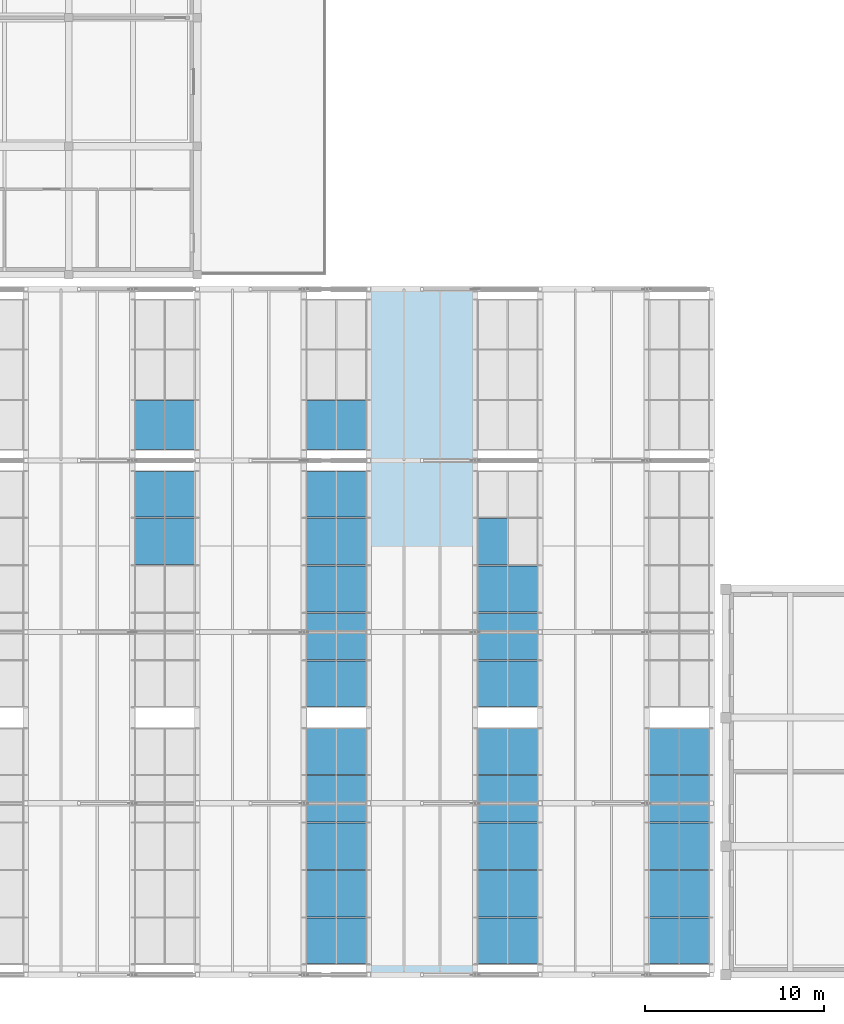
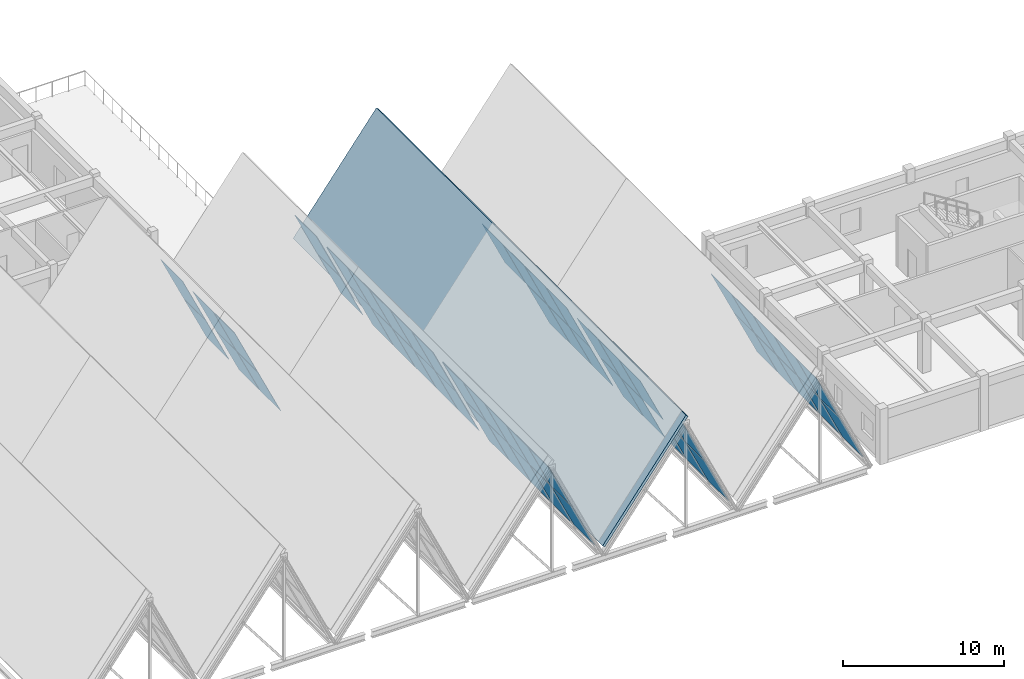
# One storey, part 65 of 99: 55 plates, 1 slab, 8 elements without a shape of their own.
"""IFC4 building model written with IfcOpenShell, lengths in metres."""

import ifcopenshell
import ifcopenshell.guid

model = None  # the IFC model being written
_history = None  # IfcOwnerHistory: only IFC2X3 demands one
_inside = {}  # id of a spatial element -> (the spatial element, [elements in it])
_under = {}  # id of a project, library or spatial element -> (it, [spatial elements below it])
_declared = {}  # id of a project -> (the project, [libraries it declares])
_typed = {}  # id of a type object -> (the type object, [elements of that type])
_made_of = {}  # id of a material, layer set ... -> (it, [elements and type objects made of it])


def new_model(schema):
    """Start an empty IFC model of exactly this schema.

    Asked for "IFC4X3", IfcOpenShell would pick the latest addendum, in which some entities
    have other attributes; the version numbers below select the first issue.
    IFC2X3 requires an IfcOwnerHistory on every rooted entity: one is made here for all.
    """
    global model, _history
    if schema == "IFC4X3":
        model = ifcopenshell.file(schema_version=(4, 3, 0, 0))
    else:
        model = ifcopenshell.file(schema=schema)
    _inside.clear()
    _under.clear()
    _declared.clear()
    _typed.clear()
    _made_of.clear()
    _history = None
    if model.schema == "IFC2X3":
        org = make("IfcOrganization", Name="unknown")
        user = make(
            "IfcPersonAndOrganization",
            ThePerson=make("IfcPerson", FamilyName="unknown"),
            TheOrganization=org,
        )
        app = make(
            "IfcApplication",
            ApplicationDeveloper=org,
            Version="unknown",
            ApplicationFullName="unknown",
            ApplicationIdentifier="unknown",
        )
        _history = make(
            "IfcOwnerHistory",
            OwningUser=user,
            OwningApplication=app,
            ChangeAction="ADDED",
            CreationDate=0,
        )
    return model


def make(cls, **values):
    """One entity of the class cls with the attributes given. An attribute that is None is left unset."""
    return model.create_entity(
        cls, **{name: value for name, value in values.items() if value is not None}
    )


def rooted(cls, **values):
    """An entity with a GlobalId (a new one), such as an element, a storey or a relation."""
    return make(cls, GlobalId=ifcopenshell.guid.new(), OwnerHistory=_history, **values)


def si_unit(unit_type, name, prefix=None):
    """IfcSIUnit, for example si_unit("LENGTHUNIT", "METRE", prefix="MILLI")."""
    return make("IfcSIUnit", UnitType=unit_type, Prefix=prefix, Name=name)


def assignment(units):
    """IfcUnitAssignment: the units of a project."""
    return None if units is None else make("IfcUnitAssignment", Units=units)


def point(xyz):
    """IfcCartesianPoint."""
    return None if xyz is None else make("IfcCartesianPoint", Coordinates=xyz)


def direction(xyz):
    """IfcDirection."""
    return None if xyz is None else make("IfcDirection", DirectionRatios=xyz)


def frame(location, z_axis=None, x_axis=None):
    """IfcAxis2Placement3D, a coordinate frame: its origin and axes. An axis left out is left unset."""
    return make(
        "IfcAxis2Placement3D",
        Location=point(location),
        Axis=direction(z_axis),
        RefDirection=direction(x_axis),
    )


def origin():
    """The frame at (0, 0, 0) with its axes left unset."""
    return frame((0.0, 0.0, 0.0))


def place(relative_to, where):
    """IfcLocalPlacement: puts the frame where relative to a parent placement (None: the world)."""
    return make(
        "IfcLocalPlacement", PlacementRelTo=relative_to, RelativePlacement=where
    )


def context(
    kind, dimensions, precision=None, world=None, true_north=None, identifier=None
):
    """IfcGeometricRepresentationContext, for example the 3D "Model" context."""
    return make(
        "IfcGeometricRepresentationContext",
        ContextIdentifier=identifier,
        ContextType=kind,
        CoordinateSpaceDimension=dimensions,
        Precision=precision,
        WorldCoordinateSystem=world,
        TrueNorth=true_north,
    )


def subcontext(parent, identifier, kind, view, scale=None):
    """IfcGeometricRepresentationSubContext, for example "Body" below "Model"."""
    return make(
        "IfcGeometricRepresentationSubContext",
        ContextIdentifier=identifier,
        ContextType=kind,
        ParentContext=parent,
        TargetScale=scale,
        TargetView=view,
    )


def project(units=None, contexts=None):
    """IfcProject with its units and contexts."""
    return rooted(
        "IfcProject",
        Name="project",
        RepresentationContexts=contexts,
        UnitsInContext=assignment(units),
    )


def spatial(cls, under=None, at=None, **own):
    """A site, building, storey or space (cls), placed at a placement, below another one or the project."""
    s = rooted(cls, ObjectPlacement=at, **own)
    if under is not None:
        _under.setdefault(under.id(), (under, []))[1].append(s)
    return s


def polyline(points):
    """IfcPolyline through the points."""
    return make("IfcPolyline", Points=[point(p) for p in points])


def outline(outer, holes=None, kind="AREA"):
    """IfcArbitraryClosedProfileDef: a profile drawn as a closed curve; with holes, ...WithVoids."""
    if holes is None:
        return make("IfcArbitraryClosedProfileDef", ProfileType=kind, OuterCurve=outer)
    return make(
        "IfcArbitraryProfileDefWithVoids",
        ProfileType=kind,
        OuterCurve=outer,
        InnerCurves=holes,
    )


def extrude(swept, where, along, depth):
    """IfcExtrudedAreaSolid: the profile swept, set in the frame where, extruded along a direction by depth."""
    return make(
        "IfcExtrudedAreaSolid",
        SweptArea=swept,
        Position=where,
        ExtrudedDirection=direction(along),
        Depth=depth,
    )


def shape(context_of_items, identifier, shape_type, items):
    """IfcShapeRepresentation: the items that make up one representation, for example the "Body"."""
    return make(
        "IfcShapeRepresentation",
        ContextOfItems=context_of_items,
        RepresentationIdentifier=identifier,
        RepresentationType=shape_type,
        Items=items,
    )


def material(Name=None, Category=None):
    """IfcMaterial."""
    return make("IfcMaterial", Name=Name, Category=Category)


def layer(
    of_material, thickness, ventilated=None, Name=None, Category=None, Priority=None
):
    """IfcMaterialLayer: one layer of a wall or slab, of a material (None: an air gap)."""
    return make(
        "IfcMaterialLayer",
        Material=of_material,
        LayerThickness=thickness,
        IsVentilated=ventilated,
        Name=Name,
        Category=Category,
        Priority=Priority,
    )


def layer_set(layers, Name=None):
    """IfcMaterialLayerSet."""
    return make("IfcMaterialLayerSet", MaterialLayers=layers, LayerSetName=Name)


def made_of(thing, what):
    """Note that an element or type object is made of a material, layer set ...; save() writes the relation."""
    if what is not None:
        _made_of.setdefault(what.id(), (what, []))[1].append(thing)
    return thing


def type_object(cls, material=None, **own):
    """A type object (cls), such as IfcWallType, which elements share."""
    return made_of(rooted(cls, **own), material)


def element(
    cls,
    number,
    at=None,
    inside=None,
    cuts=None,
    type_object=None,
    material=None,
    context=None,
    identifier="Body",
    shape_type=None,
    held_by="IfcProductDefinitionShape",
    body=None,
    shapes=None,
    **own,
):
    """One element of the class cls, such as IfcWall. Its Tag is "e" and its number.

    at: its placement. inside: the storey or other place that contains it. cuts: it is an
    opening in that element (IfcRelVoidsElement). A single representation is given by context,
    identifier, shape_type and body (its items); several are given by shapes. held_by: the class
    of the entity that holds the representations. save() writes the other relations.
    """
    e = rooted(cls, Tag="e%d" % number, ObjectPlacement=at, **own)
    if body is not None:
        shapes = [shape(context, identifier, shape_type, body)]
    if shapes is not None:
        e.Representation = make(held_by, Representations=shapes)
    if inside is not None:
        _inside.setdefault(inside.id(), (inside, []))[1].append(e)
    if cuts is not None:
        rooted(
            "IfcRelVoidsElement", RelatingBuildingElement=cuts, RelatedOpeningElement=e
        )
    if type_object is not None:
        _typed.setdefault(type_object.id(), (type_object, []))[1].append(e)
    return made_of(e, material)


def aggregate(whole, parts):
    """IfcRelAggregates: a whole, such as a stair, and the parts it consists of."""
    return rooted("IfcRelAggregates", RelatingObject=whole, RelatedObjects=parts)


def save(model, path):
    """Write the relations noted so far, then the file.

    IfcRelAggregates (storeys below a building ...), IfcRelContainedInSpatialStructure (elements
    in a storey), IfcRelDefinesByType, IfcRelAssociatesMaterial and IfcRelDeclares: one each for
    every whole, place, type object, material and project.
    """
    for whole, parts in _under.values():
        aggregate(whole, parts)
    for where, things in _inside.values():
        rooted(
            "IfcRelContainedInSpatialStructure",
            RelatedElements=things,
            RelatingStructure=where,
        )
    for kind, things in _typed.values():
        rooted("IfcRelDefinesByType", RelatedObjects=things, RelatingType=kind)
    for what, things in _made_of.values():
        rooted("IfcRelAssociatesMaterial", RelatedObjects=things, RelatingMaterial=what)
    for by, libraries in _declared.values():
        rooted("IfcRelDeclares", RelatingContext=by, RelatedDefinitions=libraries)
    model.write(path)


model = new_model("IFC4")

# Units and contexts
model_context = context("Model", 3, precision=1e-05, world=origin(), true_north=direction((0.0, 1.0)))
body_context = subcontext(model_context, "Body", "Model", "MODEL_VIEW")
ifc_project = project(units=[si_unit("LENGTHUNIT", "METRE"), si_unit("AREAUNIT", "SQUARE_METRE"), si_unit("VOLUMEUNIT", "CUBIC_METRE"), si_unit("PLANEANGLEUNIT", "RADIAN"), si_unit("MASSUNIT", "GRAM", prefix="KILO")], contexts=[model_context])

# Site, building, storey
site_placement = place(None, origin())
site = spatial("IfcSite", under=ifc_project, at=site_placement, CompositionType="ELEMENT")
building_placement = place(site_placement, origin())
building = spatial("IfcBuilding", under=site, at=building_placement, Name="Bramveld Media Centre", CompositionType="ELEMENT")
storey_placement = place(building_placement, frame((0.0, 0.0, 13.800048828125)))
storey = spatial("IfcBuildingStorey", under=building, at=storey_placement, Name="L03", CompositionType="ELEMENT", Elevation=13.800048828125)

# Curtain wall, plates
ifc_material_1 = material(Name="Thermally broken anodized bronze aluminium unitized curtain wall with solar-control triple glazing", Category="aluminium")
curtain_wall_type_1 = type_object("IfcCurtainWallType", Name="CW-SAW-13300x8606", PredefinedType="NOTDEFINED", material=ifc_material_1)
curtain_wall_1_placement = place(storey_placement, origin())
curtain_wall_1 = element("IfcCurtainWall", 1, at=curtain_wall_1_placement, inside=storey, type_object=curtain_wall_type_1, Name="V2 sawtooth north-light clerestory B3-S2", PredefinedType="NOTDEFINED")
ifc_material_2 = material(Name="Solar-control triple insulating safety glass unit", Category="glass")
ifc_layer_1 = layer(ifc_material_2, 0.028076171875)
ifc_layer_set_1 = layer_set([ifc_layer_1], Name="Solar-control triple insulating safety glass unit")
plate_type = type_object("IfcPlateType", Name="CW-PAN-SLP", PredefinedType="CURTAIN_PANEL", material=ifc_layer_set_1)
plate_1_placement = place(storey_placement, frame((28.6396484375, 22.965087890625, 0.322509765625), z_axis=(0.9056675867, 0.0, 0.423988469657), x_axis=(0.0, 1.0, 0.0)))
plate_1 = element("IfcPlate", 2, at=plate_1_placement, type_object=plate_type, Name="CW-SA-13386 glass panel 4.1", PredefinedType="CURTAIN_PANEL", context=body_context, shape_type="SweptSolid", body=[
    extrude(outline(polyline([(0.0, 0.0), (2.58984375, 0.0), (2.58984375, 3.876413641227611), (0.0, 3.876413641227611), (0.0, 0.0)])), origin(), (0.0, 0.0, -1.0), 0.028076171875),
])
plate_2_placement = place(storey_placement, frame((26.966552734375, 22.965087890625, 3.896728515625), z_axis=(0.9056675867, 0.0, 0.423988469657), x_axis=(0.0, 1.0, 0.0)))
plate_2 = element("IfcPlate", 3, at=plate_2_placement, type_object=plate_type, Name="CW-SA-13386 glass panel 4.2", PredefinedType="CURTAIN_PANEL", context=body_context, shape_type="SweptSolid", body=[
    extrude(outline(polyline([(0.0, 0.0), (2.58984375, 0.0), (2.58984375, 3.876413641227611), (0.0, 3.876413641227611), (0.0, 0.0)])), origin(), (0.0, 0.0, -1.0), 0.028076171875),
])
plate_3_placement = place(storey_placement, frame((28.6396484375, 25.625, 0.322509765625), z_axis=(0.9056675867, 0.0, 0.423988469657), x_axis=(0.0, 1.0, 0.0)))
plate_3 = element("IfcPlate", 4, at=plate_3_placement, type_object=plate_type, Name="CW-SA-13386 glass panel 5.1", PredefinedType="CURTAIN_PANEL", context=body_context, shape_type="SweptSolid", body=[
    extrude(outline(polyline([(0.0, 0.0), (2.554931640625, 0.0), (2.554931640625, 3.8764136412276113), (0.0, 3.8764136412276113), (0.0, 0.0)])), origin(), (0.0, 0.0, -1.0), 0.028076171875),
])
plate_4_placement = place(storey_placement, frame((26.966552734375, 25.625, 3.896728515625), z_axis=(0.9056675867, 0.0, 0.423988469657), x_axis=(0.0, 1.0, 0.0)))
plate_4 = element("IfcPlate", 5, at=plate_4_placement, type_object=plate_type, Name="CW-SA-13386 glass panel 5.2", PredefinedType="CURTAIN_PANEL", context=body_context, shape_type="SweptSolid", body=[
    extrude(outline(polyline([(0.0, 0.0), (2.554931640625, 0.0), (2.554931640625, 3.8764136412276113), (0.0, 3.8764136412276113), (0.0, 0.0)])), origin(), (0.0, 0.0, -1.0), 0.028076171875),
])
aggregate(curtain_wall_1, [plate_1, plate_2, plate_3, plate_4])

ifc_material_3 = material(Name="Thermally broken anodized bronze aluminium unitized curtain wall with solar-control triple glazing", Category="aluminium")
curtain_wall_type_2 = type_object("IfcCurtainWallType", Name="CW-SAW-8500x8606", PredefinedType="NOTDEFINED", material=ifc_material_3)
curtain_wall_2_placement = place(storey_placement, origin())
curtain_wall_2 = element("IfcCurtainWall", 6, at=curtain_wall_2_placement, inside=storey, type_object=curtain_wall_type_2, Name="V2 sawtooth north-light clerestory B3-S3", PredefinedType="NOTDEFINED")
plate_5_placement = place(storey_placement, frame((28.6396484375, 29.419921875, 0.322509765625), z_axis=(0.9056675867, 0.0, 0.423988469657), x_axis=(0.0, 1.0, 0.0)))
plate_5 = element("IfcPlate", 7, at=plate_5_placement, type_object=plate_type, Name="CW-SA-8586 glass panel 1.1", PredefinedType="CURTAIN_PANEL", context=body_context, shape_type="SweptSolid", body=[
    extrude(outline(polyline([(0.0, 0.0), (2.728271484375, 0.0), (2.728271484375, 3.8764136412276113), (0.0, 3.8764136412276113), (0.0, 0.0)])), origin(), (0.0, 0.0, -1.0), 0.028076171875),
])
plate_6_placement = place(storey_placement, frame((26.966552734375, 29.419921875, 3.896728515625), z_axis=(0.9056675867, 0.0, 0.423988469657), x_axis=(0.0, 1.0, 0.0)))
plate_6 = element("IfcPlate", 8, at=plate_6_placement, type_object=plate_type, Name="CW-SA-8586 glass panel 1.2", PredefinedType="CURTAIN_PANEL", context=body_context, shape_type="SweptSolid", body=[
    extrude(outline(polyline([(0.0, 0.0), (2.728271484375, 0.0), (2.728271484375, 3.8764136412276113), (0.0, 3.8764136412276113), (0.0, 0.0)])), origin(), (0.0, 0.0, -1.0), 0.028076171875),
])
aggregate(curtain_wall_2, [plate_5, plate_6])

curtain_wall_3_placement = place(storey_placement, origin())
curtain_wall_3 = element("IfcCurtainWall", 9, at=curtain_wall_3_placement, inside=storey, type_object=curtain_wall_type_1, Name="V2 sawtooth north-light clerestory B4-S1", PredefinedType="NOTDEFINED")
plate_7_placement = place(storey_placement, frame((38.23974609375, 0.6201171875, 0.322509765625), z_axis=(0.9056675867, 0.0, 0.423988469657), x_axis=(0.0, 1.0, 0.0)))
plate_7 = element("IfcPlate", 10, at=plate_7_placement, type_object=plate_type, Name="CW-SA-13386 glass panel 1.1", PredefinedType="CURTAIN_PANEL", context=body_context, shape_type="SweptSolid", body=[
    extrude(outline(polyline([(0.0, 0.0), (2.554931640625, 0.0), (2.554931640625, 3.8764136412276113), (0.0, 3.8764136412276113), (0.0, 0.0)])), origin(), (0.0, 0.0, -1.0), 0.028076171875),
])
plate_8_placement = place(storey_placement, frame((36.566650390625, 0.6201171875, 3.896728515625), z_axis=(0.9056675867, 0.0, 0.423988469657), x_axis=(0.0, 1.0, 0.0)))
plate_8 = element("IfcPlate", 11, at=plate_8_placement, type_object=plate_type, Name="CW-SA-13386 glass panel 1.2", PredefinedType="CURTAIN_PANEL", context=body_context, shape_type="SweptSolid", body=[
    extrude(outline(polyline([(0.0, 0.0), (2.554931640625, 0.0), (2.554931640625, 3.8764136412276113), (0.0, 3.8764136412276113), (0.0, 0.0)])), origin(), (0.0, 0.0, -1.0), 0.028076171875),
])
plate_9_placement = place(storey_placement, frame((38.23974609375, 3.2451171875, 0.322509765625), z_axis=(0.9056675867, 0.0, 0.423988469657), x_axis=(0.0, 1.0, 0.0)))
plate_9 = element("IfcPlate", 12, at=plate_9_placement, type_object=plate_type, Name="CW-SA-13386 glass panel 2.1", PredefinedType="CURTAIN_PANEL", context=body_context, shape_type="SweptSolid", body=[
    extrude(outline(polyline([(0.0, 0.0), (2.58984375, 0.0), (2.58984375, 3.876413641227611), (0.0, 3.876413641227611), (0.0, 0.0)])), origin(), (0.0, 0.0, -1.0), 0.028076171875),
])
plate_10_placement = place(storey_placement, frame((36.566650390625, 3.2451171875, 3.896728515625), z_axis=(0.9056675867, 0.0, 0.423988469657), x_axis=(0.0, 1.0, 0.0)))
plate_10 = element("IfcPlate", 13, at=plate_10_placement, type_object=plate_type, Name="CW-SA-13386 glass panel 2.2", PredefinedType="CURTAIN_PANEL", context=body_context, shape_type="SweptSolid", body=[
    extrude(outline(polyline([(0.0, 0.0), (2.58984375, 0.0), (2.58984375, 3.876413641227611), (0.0, 3.876413641227611), (0.0, 0.0)])), origin(), (0.0, 0.0, -1.0), 0.028076171875),
])
plate_11_placement = place(storey_placement, frame((38.23974609375, 5.905029296875, 0.322509765625), z_axis=(0.9056675867, 0.0, 0.423988469657), x_axis=(0.0, 1.0, 0.0)))
plate_11 = element("IfcPlate", 14, at=plate_11_placement, type_object=plate_type, Name="CW-SA-13386 glass panel 3.1", PredefinedType="CURTAIN_PANEL", context=body_context, shape_type="SweptSolid", body=[
    extrude(outline(polyline([(0.0, 0.0), (2.590087890625, 0.0), (2.590087890625, 3.876413641227611), (0.0, 3.876413641227611), (0.0, 0.0)])), origin(), (0.0, 0.0, -1.0), 0.028076171875),
])
plate_12_placement = place(storey_placement, frame((36.566650390625, 5.905029296875, 3.896728515625), z_axis=(0.9056675867, 0.0, 0.423988469657), x_axis=(0.0, 1.0, 0.0)))
plate_12 = element("IfcPlate", 15, at=plate_12_placement, type_object=plate_type, Name="CW-SA-13386 glass panel 3.2", PredefinedType="CURTAIN_PANEL", context=body_context, shape_type="SweptSolid", body=[
    extrude(outline(polyline([(0.0, 0.0), (2.590087890625, 0.0), (2.590087890625, 3.876413641227611), (0.0, 3.876413641227611), (0.0, 0.0)])), origin(), (0.0, 0.0, -1.0), 0.028076171875),
])
plate_13_placement = place(storey_placement, frame((38.23974609375, 8.56494140625, 0.322509765625), z_axis=(0.9056675867, 0.0, 0.423988469657), x_axis=(0.0, 1.0, 0.0)))
plate_13 = element("IfcPlate", 16, at=plate_13_placement, type_object=plate_type, Name="CW-SA-13386 glass panel 4.1", PredefinedType="CURTAIN_PANEL", context=body_context, shape_type="SweptSolid", body=[
    extrude(outline(polyline([(0.0, 0.0), (2.590087890625, 0.0), (2.590087890625, 3.876413641227611), (0.0, 3.876413641227611), (0.0, 0.0)])), origin(), (0.0, 0.0, -1.0), 0.028076171875),
])
plate_14_placement = place(storey_placement, frame((36.566650390625, 8.56494140625, 3.896728515625), z_axis=(0.9056675867, 0.0, 0.423988469657), x_axis=(0.0, 1.0, 0.0)))
plate_14 = element("IfcPlate", 17, at=plate_14_placement, type_object=plate_type, Name="CW-SA-13386 glass panel 4.2", PredefinedType="CURTAIN_PANEL", context=body_context, shape_type="SweptSolid", body=[
    extrude(outline(polyline([(0.0, 0.0), (2.590087890625, 0.0), (2.590087890625, 3.876413641227611), (0.0, 3.876413641227611), (0.0, 0.0)])), origin(), (0.0, 0.0, -1.0), 0.028076171875),
])
plate_15_placement = place(storey_placement, frame((38.23974609375, 11.22509765625, 0.322509765625), z_axis=(0.9056675867, 0.0, 0.423988469657), x_axis=(0.0, 1.0, 0.0)))
plate_15 = element("IfcPlate", 18, at=plate_15_placement, type_object=plate_type, Name="CW-SA-13386 glass panel 5.1", PredefinedType="CURTAIN_PANEL", context=body_context, shape_type="SweptSolid", body=[
    extrude(outline(polyline([(0.0, 0.0), (2.554931640625, 0.0), (2.554931640625, 3.8764136412276113), (0.0, 3.8764136412276113), (0.0, 0.0)])), origin(), (0.0, 0.0, -1.0), 0.028076171875),
])
plate_16_placement = place(storey_placement, frame((36.566650390625, 11.22509765625, 3.896728515625), z_axis=(0.9056675867, 0.0, 0.423988469657), x_axis=(0.0, 1.0, 0.0)))
plate_16 = element("IfcPlate", 19, at=plate_16_placement, type_object=plate_type, Name="CW-SA-13386 glass panel 5.2", PredefinedType="CURTAIN_PANEL", context=body_context, shape_type="SweptSolid", body=[
    extrude(outline(polyline([(0.0, 0.0), (2.554931640625, 0.0), (2.554931640625, 3.8764136412276113), (0.0, 3.8764136412276113), (0.0, 0.0)])), origin(), (0.0, 0.0, -1.0), 0.028076171875),
])
aggregate(curtain_wall_3, [plate_7, plate_8, plate_9, plate_10, plate_11, plate_12, plate_13, plate_14, plate_15, plate_16])

curtain_wall_4_placement = place(storey_placement, origin())
curtain_wall_4 = element("IfcCurtainWall", 20, at=curtain_wall_4_placement, inside=storey, type_object=curtain_wall_type_1, Name="V2 sawtooth north-light clerestory B4-S2", PredefinedType="NOTDEFINED")
plate_17_placement = place(storey_placement, frame((38.23974609375, 15.02001953125, 0.322509765625), z_axis=(0.9056675867, 0.0, 0.423988469657), x_axis=(0.0, 1.0, 0.0)))
plate_17 = element("IfcPlate", 21, at=plate_17_placement, type_object=plate_type, Name="CW-SA-13386 glass panel 1.1", PredefinedType="CURTAIN_PANEL", context=body_context, shape_type="SweptSolid", body=[
    extrude(outline(polyline([(0.0, 0.0), (2.554931640625, 0.0), (2.554931640625, 3.8764136412276113), (0.0, 3.8764136412276113), (0.0, 0.0)])), origin(), (0.0, 0.0, -1.0), 0.028076171875),
])
plate_18_placement = place(storey_placement, frame((36.566650390625, 15.02001953125, 3.896728515625), z_axis=(0.9056675867, 0.0, 0.423988469657), x_axis=(0.0, 1.0, 0.0)))
plate_18 = element("IfcPlate", 22, at=plate_18_placement, type_object=plate_type, Name="CW-SA-13386 glass panel 1.2", PredefinedType="CURTAIN_PANEL", context=body_context, shape_type="SweptSolid", body=[
    extrude(outline(polyline([(0.0, 0.0), (2.554931640625, 0.0), (2.554931640625, 3.8764136412276113), (0.0, 3.8764136412276113), (0.0, 0.0)])), origin(), (0.0, 0.0, -1.0), 0.028076171875),
])
plate_19_placement = place(storey_placement, frame((38.23974609375, 17.64501953125, 0.322509765625), z_axis=(0.9056675867, 0.0, 0.423988469657), x_axis=(0.0, 1.0, 0.0)))
plate_19 = element("IfcPlate", 23, at=plate_19_placement, type_object=plate_type, Name="CW-SA-13386 glass panel 2.1", PredefinedType="CURTAIN_PANEL", context=body_context, shape_type="SweptSolid", body=[
    extrude(outline(polyline([(0.0, 0.0), (2.590087890625, 0.0), (2.590087890625, 3.876413641227611), (0.0, 3.876413641227611), (0.0, 0.0)])), origin(), (0.0, 0.0, -1.0), 0.028076171875),
])
plate_20_placement = place(storey_placement, frame((36.566650390625, 17.64501953125, 3.896728515625), z_axis=(0.9056675867, 0.0, 0.423988469657), x_axis=(0.0, 1.0, 0.0)))
plate_20 = element("IfcPlate", 24, at=plate_20_placement, type_object=plate_type, Name="CW-SA-13386 glass panel 2.2", PredefinedType="CURTAIN_PANEL", context=body_context, shape_type="SweptSolid", body=[
    extrude(outline(polyline([(0.0, 0.0), (2.590087890625, 0.0), (2.590087890625, 3.876413641227611), (0.0, 3.876413641227611), (0.0, 0.0)])), origin(), (0.0, 0.0, -1.0), 0.028076171875),
])
plate_21_placement = place(storey_placement, frame((38.23974609375, 20.304931640625, 0.322509765625), z_axis=(0.9056675867, 0.0, 0.423988469657), x_axis=(0.0, 1.0, 0.0)))
plate_21 = element("IfcPlate", 25, at=plate_21_placement, type_object=plate_type, Name="CW-SA-13386 glass panel 3.1", PredefinedType="CURTAIN_PANEL", context=body_context, shape_type="SweptSolid", body=[
    extrude(outline(polyline([(0.0, 0.0), (2.590087890625, 0.0), (2.590087890625, 3.876413641227611), (0.0, 3.876413641227611), (0.0, 0.0)])), origin(), (0.0, 0.0, -1.0), 0.028076171875),
])
plate_22_placement = place(storey_placement, frame((36.566650390625, 20.304931640625, 3.896728515625), z_axis=(0.9056675867, 0.0, 0.423988469657), x_axis=(0.0, 1.0, 0.0)))
plate_22 = element("IfcPlate", 26, at=plate_22_placement, type_object=plate_type, Name="CW-SA-13386 glass panel 3.2", PredefinedType="CURTAIN_PANEL", context=body_context, shape_type="SweptSolid", body=[
    extrude(outline(polyline([(0.0, 0.0), (2.590087890625, 0.0), (2.590087890625, 3.876413641227611), (0.0, 3.876413641227611), (0.0, 0.0)])), origin(), (0.0, 0.0, -1.0), 0.028076171875),
])
plate_23_placement = place(storey_placement, frame((38.23974609375, 22.965087890625, 0.322509765625), z_axis=(0.9056675867, 0.0, 0.423988469657), x_axis=(0.0, 1.0, 0.0)))
plate_23 = element("IfcPlate", 27, at=plate_23_placement, type_object=plate_type, Name="CW-SA-13386 glass panel 4.1", PredefinedType="CURTAIN_PANEL", context=body_context, shape_type="SweptSolid", body=[
    extrude(outline(polyline([(0.0, 0.0), (2.58984375, 0.0), (2.58984375, 3.876413641227611), (0.0, 3.876413641227611), (0.0, 0.0)])), origin(), (0.0, 0.0, -1.0), 0.028076171875),
])
plate_24_placement = place(storey_placement, frame((36.566650390625, 22.965087890625, 3.896728515625), z_axis=(0.9056675867, 0.0, 0.423988469657), x_axis=(0.0, 1.0, 0.0)))
plate_24 = element("IfcPlate", 28, at=plate_24_placement, type_object=plate_type, Name="CW-SA-13386 glass panel 4.2", PredefinedType="CURTAIN_PANEL", context=body_context, shape_type="SweptSolid", body=[
    extrude(outline(polyline([(0.0, 0.0), (2.58984375, 0.0), (2.58984375, 3.876413641227611), (0.0, 3.876413641227611), (0.0, 0.0)])), origin(), (0.0, 0.0, -1.0), 0.028076171875),
])
plate_25_placement = place(storey_placement, frame((38.23974609375, 25.625, 0.322509765625), z_axis=(0.9056675867, 0.0, 0.423988469657), x_axis=(0.0, 1.0, 0.0)))
plate_25 = element("IfcPlate", 29, at=plate_25_placement, type_object=plate_type, Name="CW-SA-13386 glass panel 5.1", PredefinedType="CURTAIN_PANEL", context=body_context, shape_type="SweptSolid", body=[
    extrude(outline(polyline([(0.0, 0.0), (2.554931640625, 0.0), (2.554931640625, 3.8764136412276113), (0.0, 3.8764136412276113), (0.0, 0.0)])), origin(), (0.0, 0.0, -1.0), 0.028076171875),
])
plate_26_placement = place(storey_placement, frame((36.566650390625, 25.625, 3.896728515625), z_axis=(0.9056675867, 0.0, 0.423988469657), x_axis=(0.0, 1.0, 0.0)))
plate_26 = element("IfcPlate", 30, at=plate_26_placement, type_object=plate_type, Name="CW-SA-13386 glass panel 5.2", PredefinedType="CURTAIN_PANEL", context=body_context, shape_type="SweptSolid", body=[
    extrude(outline(polyline([(0.0, 0.0), (2.554931640625, 0.0), (2.554931640625, 3.8764136412276113), (0.0, 3.8764136412276113), (0.0, 0.0)])), origin(), (0.0, 0.0, -1.0), 0.028076171875),
])
aggregate(curtain_wall_4, [plate_17, plate_18, plate_19, plate_20, plate_21, plate_22, plate_23, plate_24, plate_25, plate_26])

curtain_wall_5_placement = place(storey_placement, origin())
curtain_wall_5 = element("IfcCurtainWall", 31, at=curtain_wall_5_placement, inside=storey, type_object=curtain_wall_type_2, Name="V2 sawtooth north-light clerestory B4-S3", PredefinedType="NOTDEFINED")
plate_27_placement = place(storey_placement, frame((38.23974609375, 29.419921875, 0.322509765625), z_axis=(0.9056675867, 0.0, 0.423988469657), x_axis=(0.0, 1.0, 0.0)))
plate_27 = element("IfcPlate", 32, at=plate_27_placement, type_object=plate_type, Name="CW-SA-8586 glass panel 1.1", PredefinedType="CURTAIN_PANEL", context=body_context, shape_type="SweptSolid", body=[
    extrude(outline(polyline([(0.0, 0.0), (2.728271484375, 0.0), (2.728271484375, 3.8764136412276113), (0.0, 3.8764136412276113), (0.0, 0.0)])), origin(), (0.0, 0.0, -1.0), 0.028076171875),
])
plate_28_placement = place(storey_placement, frame((36.566650390625, 29.419921875, 3.896728515625), z_axis=(0.9056675867, 0.0, 0.423988469657), x_axis=(0.0, 1.0, 0.0)))
plate_28 = element("IfcPlate", 33, at=plate_28_placement, type_object=plate_type, Name="CW-SA-8586 glass panel 1.2", PredefinedType="CURTAIN_PANEL", context=body_context, shape_type="SweptSolid", body=[
    extrude(outline(polyline([(0.0, 0.0), (2.728271484375, 0.0), (2.728271484375, 3.8764136412276113), (0.0, 3.8764136412276113), (0.0, 0.0)])), origin(), (0.0, 0.0, -1.0), 0.028076171875),
])
aggregate(curtain_wall_5, [plate_27, plate_28])

curtain_wall_6_placement = place(storey_placement, origin())
curtain_wall_6 = element("IfcCurtainWall", 34, at=curtain_wall_6_placement, inside=storey, type_object=curtain_wall_type_1, Name="V2 sawtooth north-light clerestory B5-S1", PredefinedType="NOTDEFINED")
plate_29_placement = place(storey_placement, frame((47.839599609375, 0.6201171875, 0.322509765625), z_axis=(0.905691770132, 0.0, 0.423936808398), x_axis=(0.0, 1.0, 0.0)))
plate_29 = element("IfcPlate", 35, at=plate_29_placement, type_object=plate_type, Name="CW-SA-13386 glass panel 1.1", PredefinedType="CURTAIN_PANEL", context=body_context, shape_type="SweptSolid", body=[
    extrude(outline(polyline([(0.0, 0.0), (2.554931640625, 0.0), (2.554931640625, 3.876310134723858), (0.0, 3.876310134723858), (0.0, 0.0)])), origin(), (0.0, 0.0, -1.0), 0.028076171875),
])
plate_30_placement = place(storey_placement, frame((46.16650390625, 0.6201171875, 3.896728515625), z_axis=(0.905691770132, 0.0, 0.423936808398), x_axis=(0.0, 1.0, 0.0)))
plate_30 = element("IfcPlate", 36, at=plate_30_placement, type_object=plate_type, Name="CW-SA-13386 glass panel 1.2", PredefinedType="CURTAIN_PANEL", context=body_context, shape_type="SweptSolid", body=[
    extrude(outline(polyline([(0.0, 0.0), (2.554931640625, 0.0), (2.554931640625, 3.876310134723858), (0.0, 3.876310134723858), (0.0, 0.0)])), origin(), (0.0, 0.0, -1.0), 0.028076171875),
])
plate_31_placement = place(storey_placement, frame((47.839599609375, 3.2451171875, 0.322509765625), z_axis=(0.905691770132, 0.0, 0.423936808398), x_axis=(0.0, 1.0, 0.0)))
plate_31 = element("IfcPlate", 37, at=plate_31_placement, type_object=plate_type, Name="CW-SA-13386 glass panel 2.1", PredefinedType="CURTAIN_PANEL", context=body_context, shape_type="SweptSolid", body=[
    extrude(outline(polyline([(0.0, 0.0), (2.58984375, 0.0), (2.58984375, 3.876310134723858), (0.0, 3.876310134723858), (0.0, 0.0)])), origin(), (0.0, 0.0, -1.0), 0.028076171875),
])
plate_32_placement = place(storey_placement, frame((46.16650390625, 3.2451171875, 3.896728515625), z_axis=(0.905691770132, 0.0, 0.423936808398), x_axis=(0.0, 1.0, 0.0)))
plate_32 = element("IfcPlate", 38, at=plate_32_placement, type_object=plate_type, Name="CW-SA-13386 glass panel 2.2", PredefinedType="CURTAIN_PANEL", context=body_context, shape_type="SweptSolid", body=[
    extrude(outline(polyline([(0.0, 0.0), (2.58984375, 0.0), (2.58984375, 3.876310134723858), (0.0, 3.876310134723858), (0.0, 0.0)])), origin(), (0.0, 0.0, -1.0), 0.028076171875),
])
plate_33_placement = place(storey_placement, frame((47.839599609375, 5.905029296875, 0.322509765625), z_axis=(0.905691770132, 0.0, 0.423936808398), x_axis=(0.0, 1.0, 0.0)))
plate_33 = element("IfcPlate", 39, at=plate_33_placement, type_object=plate_type, Name="CW-SA-13386 glass panel 3.1", PredefinedType="CURTAIN_PANEL", context=body_context, shape_type="SweptSolid", body=[
    extrude(outline(polyline([(0.0, 0.0), (2.590087890625, 0.0), (2.590087890625, 3.876310134723858), (0.0, 3.876310134723858), (0.0, 0.0)])), origin(), (0.0, 0.0, -1.0), 0.028076171875),
])
plate_34_placement = place(storey_placement, frame((46.16650390625, 5.905029296875, 3.896728515625), z_axis=(0.905691770132, 0.0, 0.423936808398), x_axis=(0.0, 1.0, 0.0)))
plate_34 = element("IfcPlate", 40, at=plate_34_placement, type_object=plate_type, Name="CW-SA-13386 glass panel 3.2", PredefinedType="CURTAIN_PANEL", context=body_context, shape_type="SweptSolid", body=[
    extrude(outline(polyline([(0.0, 0.0), (2.590087890625, 0.0), (2.590087890625, 3.876310134723858), (0.0, 3.876310134723858), (0.0, 0.0)])), origin(), (0.0, 0.0, -1.0), 0.028076171875),
])
plate_35_placement = place(storey_placement, frame((47.839599609375, 8.56494140625, 0.322509765625), z_axis=(0.905691770132, 0.0, 0.423936808398), x_axis=(0.0, 1.0, 0.0)))
plate_35 = element("IfcPlate", 41, at=plate_35_placement, type_object=plate_type, Name="CW-SA-13386 glass panel 4.1", PredefinedType="CURTAIN_PANEL", context=body_context, shape_type="SweptSolid", body=[
    extrude(outline(polyline([(0.0, 0.0), (2.590087890625, 0.0), (2.590087890625, 3.876310134723858), (0.0, 3.876310134723858), (0.0, 0.0)])), origin(), (0.0, 0.0, -1.0), 0.028076171875),
])
plate_36_placement = place(storey_placement, frame((46.16650390625, 8.56494140625, 3.896728515625), z_axis=(0.905691770132, 0.0, 0.423936808398), x_axis=(0.0, 1.0, 0.0)))
plate_36 = element("IfcPlate", 42, at=plate_36_placement, type_object=plate_type, Name="CW-SA-13386 glass panel 4.2", PredefinedType="CURTAIN_PANEL", context=body_context, shape_type="SweptSolid", body=[
    extrude(outline(polyline([(0.0, 0.0), (2.590087890625, 0.0), (2.590087890625, 3.876310134723858), (0.0, 3.876310134723858), (0.0, 0.0)])), origin(), (0.0, 0.0, -1.0), 0.028076171875),
])
plate_37_placement = place(storey_placement, frame((47.839599609375, 11.22509765625, 0.322509765625), z_axis=(0.905691770132, 0.0, 0.423936808398), x_axis=(0.0, 1.0, 0.0)))
plate_37 = element("IfcPlate", 43, at=plate_37_placement, type_object=plate_type, Name="CW-SA-13386 glass panel 5.1", PredefinedType="CURTAIN_PANEL", context=body_context, shape_type="SweptSolid", body=[
    extrude(outline(polyline([(0.0, 0.0), (2.554931640625, 0.0), (2.554931640625, 3.876310134723858), (0.0, 3.876310134723858), (0.0, 0.0)])), origin(), (0.0, 0.0, -1.0), 0.028076171875),
])
plate_38_placement = place(storey_placement, frame((46.16650390625, 11.22509765625, 3.896728515625), z_axis=(0.905691770132, 0.0, 0.423936808398), x_axis=(0.0, 1.0, 0.0)))
plate_38 = element("IfcPlate", 44, at=plate_38_placement, type_object=plate_type, Name="CW-SA-13386 glass panel 5.2", PredefinedType="CURTAIN_PANEL", context=body_context, shape_type="SweptSolid", body=[
    extrude(outline(polyline([(0.0, 0.0), (2.554931640625, 0.0), (2.554931640625, 3.876310134723858), (0.0, 3.876310134723858), (0.0, 0.0)])), origin(), (0.0, 0.0, -1.0), 0.028076171875),
])
aggregate(curtain_wall_6, [plate_29, plate_30, plate_31, plate_32, plate_33, plate_34, plate_35, plate_36, plate_37, plate_38])

curtain_wall_7_placement = place(storey_placement, origin())
curtain_wall_7 = element("IfcCurtainWall", 45, at=curtain_wall_7_placement, inside=storey, type_object=curtain_wall_type_1, Name="V2 sawtooth north-light clerestory B5-S2", PredefinedType="NOTDEFINED")
plate_39_placement = place(storey_placement, frame((47.839599609375, 15.02001953125, 0.322509765625), z_axis=(0.905691770132, 0.0, 0.423936808398), x_axis=(0.0, 1.0, 0.0)))
plate_39 = element("IfcPlate", 46, at=plate_39_placement, type_object=plate_type, Name="CW-SA-13386 glass panel 1.1", PredefinedType="CURTAIN_PANEL", context=body_context, shape_type="SweptSolid", body=[
    extrude(outline(polyline([(0.0, 0.0), (2.554931640625, 0.0), (2.554931640625, 3.876310134723858), (0.0, 3.876310134723858), (0.0, 0.0)])), origin(), (0.0, 0.0, -1.0), 0.028076171875),
])
plate_40_placement = place(storey_placement, frame((46.16650390625, 15.02001953125, 3.896728515625), z_axis=(0.905691770132, 0.0, 0.423936808398), x_axis=(0.0, 1.0, 0.0)))
plate_40 = element("IfcPlate", 47, at=plate_40_placement, type_object=plate_type, Name="CW-SA-13386 glass panel 1.2", PredefinedType="CURTAIN_PANEL", context=body_context, shape_type="SweptSolid", body=[
    extrude(outline(polyline([(0.0, 0.0), (2.554931640625, 0.0), (2.554931640625, 3.876310134723858), (0.0, 3.876310134723858), (0.0, 0.0)])), origin(), (0.0, 0.0, -1.0), 0.028076171875),
])
plate_41_placement = place(storey_placement, frame((47.839599609375, 17.64501953125, 0.322509765625), z_axis=(0.905691770132, 0.0, 0.423936808398), x_axis=(0.0, 1.0, 0.0)))
plate_41 = element("IfcPlate", 48, at=plate_41_placement, type_object=plate_type, Name="CW-SA-13386 glass panel 2.1", PredefinedType="CURTAIN_PANEL", context=body_context, shape_type="SweptSolid", body=[
    extrude(outline(polyline([(0.0, 0.0), (2.590087890625, 0.0), (2.590087890625, 3.876310134723858), (0.0, 3.876310134723858), (0.0, 0.0)])), origin(), (0.0, 0.0, -1.0), 0.028076171875),
])
plate_42_placement = place(storey_placement, frame((46.16650390625, 17.64501953125, 3.896728515625), z_axis=(0.905691770132, 0.0, 0.423936808398), x_axis=(0.0, 1.0, 0.0)))
plate_42 = element("IfcPlate", 49, at=plate_42_placement, type_object=plate_type, Name="CW-SA-13386 glass panel 2.2", PredefinedType="CURTAIN_PANEL", context=body_context, shape_type="SweptSolid", body=[
    extrude(outline(polyline([(0.0, 0.0), (2.590087890625, 0.0), (2.590087890625, 3.876310134723858), (0.0, 3.876310134723858), (0.0, 0.0)])), origin(), (0.0, 0.0, -1.0), 0.028076171875),
])
plate_43_placement = place(storey_placement, frame((47.839599609375, 20.304931640625, 0.322509765625), z_axis=(0.905691770132, 0.0, 0.423936808398), x_axis=(0.0, 1.0, 0.0)))
plate_43 = element("IfcPlate", 50, at=plate_43_placement, type_object=plate_type, Name="CW-SA-13386 glass panel 3.1", PredefinedType="CURTAIN_PANEL", context=body_context, shape_type="SweptSolid", body=[
    extrude(outline(polyline([(0.0, 0.0), (2.590087890625, 0.0), (2.590087890625, 3.876310134723858), (0.0, 3.876310134723858), (0.0, 0.0)])), origin(), (0.0, 0.0, -1.0), 0.028076171875),
])
plate_44_placement = place(storey_placement, frame((46.16650390625, 20.304931640625, 3.896728515625), z_axis=(0.905691770132, 0.0, 0.423936808398), x_axis=(0.0, 1.0, 0.0)))
plate_44 = element("IfcPlate", 51, at=plate_44_placement, type_object=plate_type, Name="CW-SA-13386 glass panel 3.2", PredefinedType="CURTAIN_PANEL", context=body_context, shape_type="SweptSolid", body=[
    extrude(outline(polyline([(0.0, 0.0), (2.590087890625, 0.0), (2.590087890625, 3.876310134723858), (0.0, 3.876310134723858), (0.0, 0.0)])), origin(), (0.0, 0.0, -1.0), 0.028076171875),
])
plate_45_placement = place(storey_placement, frame((46.16650390625, 22.965087890625, 3.896728515625), z_axis=(0.905691770132, 0.0, 0.423936808398), x_axis=(0.0, 1.0, 0.0)))
plate_45 = element("IfcPlate", 52, at=plate_45_placement, type_object=plate_type, Name="CW-SA-13386 glass panel 4.2", PredefinedType="CURTAIN_PANEL", context=body_context, shape_type="SweptSolid", body=[
    extrude(outline(polyline([(0.0, 0.0), (2.58984375, 0.0), (2.58984375, 3.876310134723858), (0.0, 3.876310134723858), (0.0, 0.0)])), origin(), (0.0, 0.0, -1.0), 0.028076171875),
])
aggregate(curtain_wall_7, [plate_39, plate_40, plate_41, plate_42, plate_43, plate_44, plate_45])

curtain_wall_8_placement = place(storey_placement, origin())
curtain_wall_8 = element("IfcCurtainWall", 53, at=curtain_wall_8_placement, inside=storey, type_object=curtain_wall_type_1, Name="V2 sawtooth north-light clerestory B6-S1", PredefinedType="NOTDEFINED")
plate_46_placement = place(storey_placement, frame((57.439697265625, 0.6201171875, 0.322509765625), z_axis=(0.9056675867, 0.0, 0.423988469657), x_axis=(0.0, 1.0, 0.0)))
plate_46 = element("IfcPlate", 54, at=plate_46_placement, type_object=plate_type, Name="CW-SA-13386 glass panel 1.1", PredefinedType="CURTAIN_PANEL", context=body_context, shape_type="SweptSolid", body=[
    extrude(outline(polyline([(0.0, 0.0), (2.554931640625, 0.0), (2.554931640625, 3.8764136412276113), (0.0, 3.8764136412276113), (0.0, 0.0)])), origin(), (0.0, 0.0, -1.0), 0.028076171875),
])
plate_47_placement = place(storey_placement, frame((55.7666015625, 0.6201171875, 3.896728515625), z_axis=(0.9056675867, 0.0, 0.423988469657), x_axis=(0.0, 1.0, 0.0)))
plate_47 = element("IfcPlate", 55, at=plate_47_placement, type_object=plate_type, Name="CW-SA-13386 glass panel 1.2", PredefinedType="CURTAIN_PANEL", context=body_context, shape_type="SweptSolid", body=[
    extrude(outline(polyline([(0.0, 0.0), (2.554931640625, 0.0), (2.554931640625, 3.8764136412276113), (0.0, 3.8764136412276113), (0.0, 0.0)])), origin(), (0.0, 0.0, -1.0), 0.028076171875),
])
plate_48_placement = place(storey_placement, frame((57.439697265625, 3.2451171875, 0.322509765625), z_axis=(0.9056675867, 0.0, 0.423988469657), x_axis=(0.0, 1.0, 0.0)))
plate_48 = element("IfcPlate", 56, at=plate_48_placement, type_object=plate_type, Name="CW-SA-13386 glass panel 2.1", PredefinedType="CURTAIN_PANEL", context=body_context, shape_type="SweptSolid", body=[
    extrude(outline(polyline([(0.0, 0.0), (2.58984375, 0.0), (2.58984375, 3.876413641227611), (0.0, 3.876413641227611), (0.0, 0.0)])), origin(), (0.0, 0.0, -1.0), 0.028076171875),
])
plate_49_placement = place(storey_placement, frame((55.7666015625, 3.2451171875, 3.896728515625), z_axis=(0.9056675867, 0.0, 0.423988469657), x_axis=(0.0, 1.0, 0.0)))
plate_49 = element("IfcPlate", 57, at=plate_49_placement, type_object=plate_type, Name="CW-SA-13386 glass panel 2.2", PredefinedType="CURTAIN_PANEL", context=body_context, shape_type="SweptSolid", body=[
    extrude(outline(polyline([(0.0, 0.0), (2.58984375, 0.0), (2.58984375, 3.876413641227611), (0.0, 3.876413641227611), (0.0, 0.0)])), origin(), (0.0, 0.0, -1.0), 0.028076171875),
])
plate_50_placement = place(storey_placement, frame((57.439697265625, 5.905029296875, 0.322509765625), z_axis=(0.9056675867, 0.0, 0.423988469657), x_axis=(0.0, 1.0, 0.0)))
plate_50 = element("IfcPlate", 58, at=plate_50_placement, type_object=plate_type, Name="CW-SA-13386 glass panel 3.1", PredefinedType="CURTAIN_PANEL", context=body_context, shape_type="SweptSolid", body=[
    extrude(outline(polyline([(0.0, 0.0), (2.590087890625, 0.0), (2.590087890625, 3.876413641227611), (0.0, 3.876413641227611), (0.0, 0.0)])), origin(), (0.0, 0.0, -1.0), 0.028076171875),
])
plate_51_placement = place(storey_placement, frame((55.7666015625, 5.905029296875, 3.896728515625), z_axis=(0.9056675867, 0.0, 0.423988469657), x_axis=(0.0, 1.0, 0.0)))
plate_51 = element("IfcPlate", 59, at=plate_51_placement, type_object=plate_type, Name="CW-SA-13386 glass panel 3.2", PredefinedType="CURTAIN_PANEL", context=body_context, shape_type="SweptSolid", body=[
    extrude(outline(polyline([(0.0, 0.0), (2.590087890625, 0.0), (2.590087890625, 3.876413641227611), (0.0, 3.876413641227611), (0.0, 0.0)])), origin(), (0.0, 0.0, -1.0), 0.028076171875),
])
plate_52_placement = place(storey_placement, frame((57.439697265625, 8.56494140625, 0.322509765625), z_axis=(0.9056675867, 0.0, 0.423988469657), x_axis=(0.0, 1.0, 0.0)))
plate_52 = element("IfcPlate", 60, at=plate_52_placement, type_object=plate_type, Name="CW-SA-13386 glass panel 4.1", PredefinedType="CURTAIN_PANEL", context=body_context, shape_type="SweptSolid", body=[
    extrude(outline(polyline([(0.0, 0.0), (2.590087890625, 0.0), (2.590087890625, 3.876413641227611), (0.0, 3.876413641227611), (0.0, 0.0)])), origin(), (0.0, 0.0, -1.0), 0.028076171875),
])
plate_53_placement = place(storey_placement, frame((55.7666015625, 8.56494140625, 3.896728515625), z_axis=(0.9056675867, 0.0, 0.423988469657), x_axis=(0.0, 1.0, 0.0)))
plate_53 = element("IfcPlate", 61, at=plate_53_placement, type_object=plate_type, Name="CW-SA-13386 glass panel 4.2", PredefinedType="CURTAIN_PANEL", context=body_context, shape_type="SweptSolid", body=[
    extrude(outline(polyline([(0.0, 0.0), (2.590087890625, 0.0), (2.590087890625, 3.876413641227611), (0.0, 3.876413641227611), (0.0, 0.0)])), origin(), (0.0, 0.0, -1.0), 0.028076171875),
])
plate_54_placement = place(storey_placement, frame((57.439697265625, 11.22509765625, 0.322509765625), z_axis=(0.9056675867, 0.0, 0.423988469657), x_axis=(0.0, 1.0, 0.0)))
plate_54 = element("IfcPlate", 62, at=plate_54_placement, type_object=plate_type, Name="CW-SA-13386 glass panel 5.1", PredefinedType="CURTAIN_PANEL", context=body_context, shape_type="SweptSolid", body=[
    extrude(outline(polyline([(0.0, 0.0), (2.554931640625, 0.0), (2.554931640625, 3.8764136412276113), (0.0, 3.8764136412276113), (0.0, 0.0)])), origin(), (0.0, 0.0, -1.0), 0.028076171875),
])
plate_55_placement = place(storey_placement, frame((55.7666015625, 11.22509765625, 3.896728515625), z_axis=(0.9056675867, 0.0, 0.423988469657), x_axis=(0.0, 1.0, 0.0)))
plate_55 = element("IfcPlate", 63, at=plate_55_placement, type_object=plate_type, Name="CW-SA-13386 glass panel 5.2", PredefinedType="CURTAIN_PANEL", context=body_context, shape_type="SweptSolid", body=[
    extrude(outline(polyline([(0.0, 0.0), (2.554931640625, 0.0), (2.554931640625, 3.8764136412276113), (0.0, 3.8764136412276113), (0.0, 0.0)])), origin(), (0.0, 0.0, -1.0), 0.028076171875),
])
aggregate(curtain_wall_8, [plate_46, plate_47, plate_48, plate_49, plate_50, plate_51, plate_52, plate_53, plate_54, plate_55])

# Slab
ifc_material_4 = material(Name="Precast concrete C40/50", Category="concrete")
ifc_layer_2 = layer(ifc_material_4, 0.2099609375)
ifc_layer_set_2 = layer_set([ifc_layer_2], Name="Precast concrete C40/50")
slab_type = type_object("IfcSlabType", Name="ROOF-SLAB-210-01", PredefinedType="ROOF", material=ifc_layer_set_2)
slab_placement = place(storey_placement, frame((38.39990234375, 0.0, 0.622314453125), z_axis=(-0.794448873282, 0.0, 0.607331036372), x_axis=(0.607331036372, 0.0, 0.794448873282)))
element("IfcSlab", 64, at=slab_placement, inside=storey, type_object=slab_type, Name="V2 sawtooth acoustic roof slab bay 5", PredefinedType="ROOF", context=body_context, shape_type="SweptSolid", body=[
    extrude(outline(polyline([(0.0, 0.0), (9.818188546103965, 0.0), (9.818188546103965, 38.39990234375), (0.0, 38.39990234375), (0.0, 0.0)])), origin(), (0.0, 0.0, -1.0), 0.2099609375),
])

save(model, "model.ifc")
